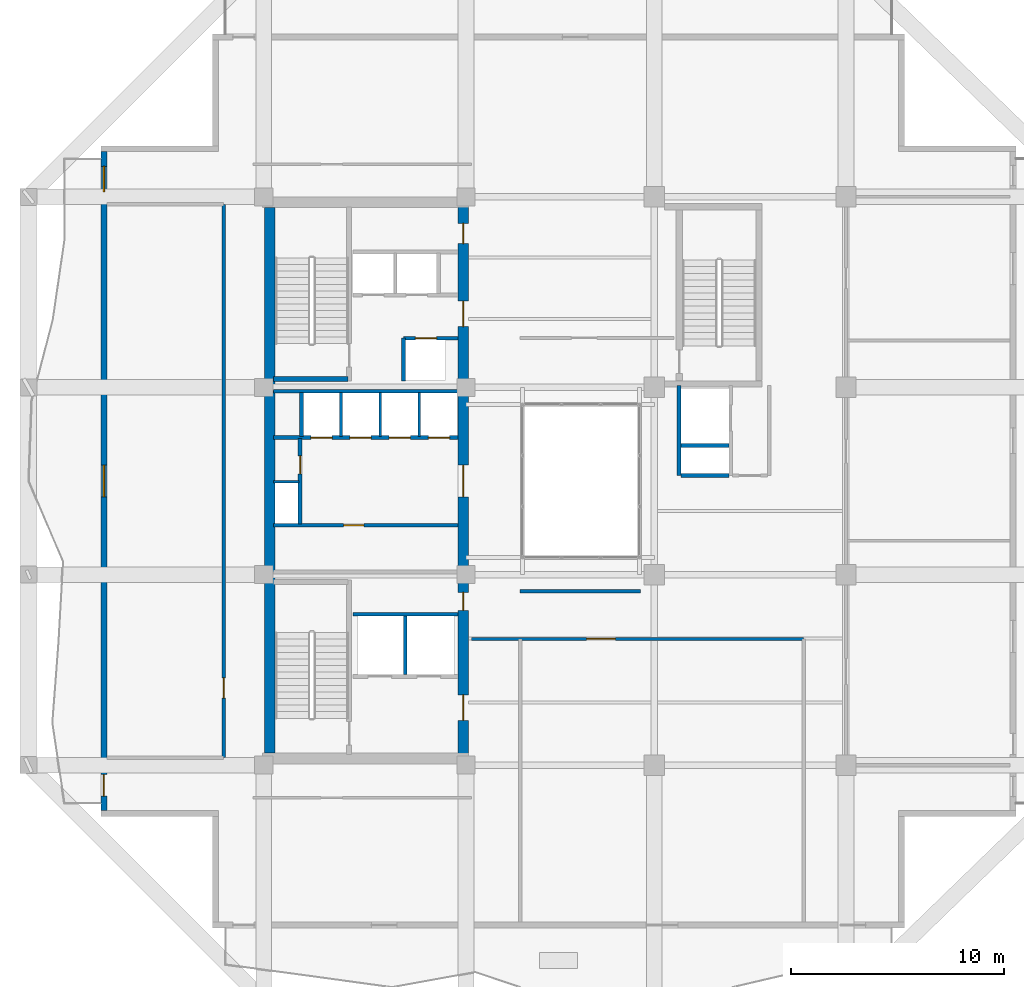
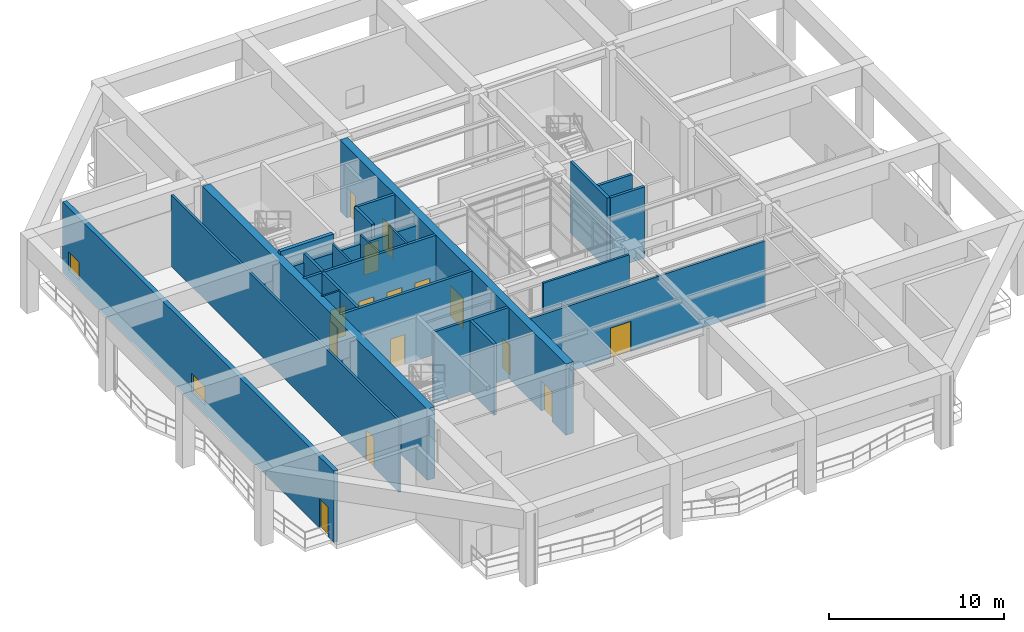
# One storey, part 6 of 13: 23 walls, 15 doors, 2 windows, 17 openings.
"""IFC4 building model written with IfcOpenShell, lengths in metres."""

from ifc_helpers import new_model, si_unit, direction, frame, frame_2d, origin, place, context, subcontext, project, spatial, rectangle, extrude, material, layer, layer_set, type_object, element, fill, save


model = new_model("IFC4")

# Units and contexts
model_context = context("Model", 3, precision=1e-05, world=origin(), true_north=direction((0.0, 1.0)))
body_context = subcontext(model_context, "Body", "Model", "MODEL_VIEW")
ifc_project = project(units=[si_unit("LENGTHUNIT", "METRE"), si_unit("AREAUNIT", "SQUARE_METRE"), si_unit("VOLUMEUNIT", "CUBIC_METRE"), si_unit("PLANEANGLEUNIT", "RADIAN"), si_unit("MASSUNIT", "GRAM", prefix="KILO")], contexts=[model_context])

# Site, building, storey
site_placement = place(None, origin())
site = spatial("IfcSite", under=ifc_project, at=site_placement, CompositionType="ELEMENT")
building_placement = place(site_placement, origin())
building = spatial("IfcBuilding", under=site, at=building_placement, Name="Kundavana Baori Tower", CompositionType="ELEMENT")
storey_placement = place(building_placement, frame((0.0, 0.0, 208.89990234375)))
storey = spatial("IfcBuildingStorey", under=building, at=storey_placement, Name="L51", CompositionType="ELEMENT", Elevation=208.89990234375)

# Walls
ifc_material_1 = material(Name="Concrete C50/60", Category="concrete")
ifc_layer_1 = layer(ifc_material_1, 0.39990234375, Name="WL-CORE-400")
ifc_layer_set_1 = layer_set([ifc_layer_1], Name="Concrete C50/60")
wall_type_1 = type_object("IfcWallType", Name="WL-CORE-400", PredefinedType="SHEAR", material=ifc_layer_set_1)
wall_1_placement = place(storey_placement, frame((15.89990234375, 33.389892578125, 0.0), z_axis=(0.0, 0.0, 1.0), x_axis=(1.0, 0.0, 0.0)))
element("IfcWall", 1, at=wall_1_placement, inside=storey, type_object=wall_type_1, Name="WL-L51-ST2-S", PredefinedType="SHEAR", context=body_context, shape_type="SweptSolid", body=[
    extrude(rectangle(XDim=3.52001953125, YDim=0.239990234375, at=frame_2d((1.760009765625, 0.0))), origin(), (0.0, 0.0, 1.0), 5.2001953125),
])
ifc_material_2 = material(Name="Concrete C50/60", Category="concrete")
ifc_layer_2 = layer(ifc_material_2, 0.5, Name="WL-CORE-500")
ifc_layer_set_2 = layer_set([ifc_layer_2], Name="Concrete C50/60")
wall_type_2 = type_object("IfcWallType", Name="WL-CORE-500", PredefinedType="SHEAR", material=ifc_layer_set_2)
wall_2_placement = place(storey_placement, frame((15.739990234375, 15.81005859375, 0.0), z_axis=(0.0, 0.0, 1.0), x_axis=(0.0, 1.0, 0.0)))
element("IfcWall", 2, at=wall_2_placement, inside=storey, type_object=wall_type_2, Name="L51 Offset Core West Shear Wall", PredefinedType="SHEAR", context=body_context, shape_type="SweptSolid", body=[
    extrude(rectangle(XDim=25.6298828125, YDim=0.5, at=frame_2d((12.81494140625, 0.0))), origin(), (0.0, 0.0, 1.0), 4.960205078125),
])

# Wall, openings, doors
wall_3_placement = place(storey_placement, frame((24.830078125, 15.739990234375, 0.0), z_axis=(0.0, 0.0, 1.0), x_axis=(0.0, 1.0, 0.0)))
wall_3 = element("IfcWall", 3, at=wall_3_placement, inside=storey, type_object=wall_type_2, Name="L51 Offset Core East Shear Wall", PredefinedType="SHEAR", context=body_context, shape_type="SweptSolid", body=[
    extrude(rectangle(XDim=25.760009765625, YDim=0.5, at=frame_2d((12.8798828125, 0.0))), origin(), (0.0, 0.0, 1.0), 4.960205078125),
])
opening_1_placement = place(wall_3_placement, frame((1.610107421875, 0.0, 0.0)))
opening_1 = element("IfcOpeningElement", 4, at=opening_1_placement, cuts=wall_3, Name="Opening FD-120", PredefinedType="OPENING", context=body_context, shape_type="SweptSolid", body=[
    extrude(rectangle(XDim=1.199951171875, YDim=2.10009765625, at=frame_2d((0.60009765625, 1.050048828125))), frame((0.0, 0.260009765625, 0.0), z_axis=(0.0, -1.0, 0.0), x_axis=(1.0, 0.0, 0.0)), (0.0, 0.0, 1.0), 0.52001953125),
])
opening_2_placement = place(wall_3_placement, frame((6.780029296875, 0.0, 0.0)))
opening_2 = element("IfcOpeningElement", 5, at=opening_2_placement, cuts=wall_3, Name="Opening FD-085", PredefinedType="OPENING", context=body_context, shape_type="SweptSolid", body=[
    extrude(rectangle(XDim=0.85009765625, YDim=2.06005859375, at=frame_2d((0.425048828125, 1.030029296875))), frame((0.0, 0.260009765625, 0.0), z_axis=(0.0, -1.0, 0.0), x_axis=(1.0, 0.0, 0.0)), (0.0, 0.0, 1.0), 0.52001953125),
])
opening_3_placement = place(wall_3_placement, frame((12.110107421875, 0.0, 0.0)))
opening_3 = element("IfcOpeningElement", 6, at=opening_3_placement, cuts=wall_3, Name="Opening FD-150", PredefinedType="OPENING", context=body_context, shape_type="SweptSolid", body=[
    extrude(rectangle(XDim=1.5, YDim=2.1201171875, at=frame_2d((0.75, 1.06005859375))), frame((0.0, 0.260009765625, 0.0), z_axis=(0.0, -1.0, 0.0), x_axis=(1.0, 0.0, 0.0)), (0.0, 0.0, 1.0), 0.52001953125),
])
opening_4_placement = place(wall_3_placement, frame((20.110107421875, 0.0, 0.0)))
opening_4 = element("IfcOpeningElement", 7, at=opening_4_placement, cuts=wall_3, Name="Opening FD-122", PredefinedType="OPENING", context=body_context, shape_type="SweptSolid", body=[
    extrude(rectangle(XDim=1.199951171875, YDim=2.1201171875, at=frame_2d((0.60009765625, 1.06005859375))), frame((0.0, 0.260009765625, 0.0), z_axis=(0.0, -1.0, 0.0), x_axis=(1.0, 0.0, 0.0)), (0.0, 0.0, 1.0), 0.52001953125),
])
opening_5_placement = place(wall_3_placement, frame((24.010009765625, 0.0, 0.0)))
opening_5 = element("IfcOpeningElement", 8, at=opening_5_placement, cuts=wall_3, Name="Opening FD-095", PredefinedType="OPENING", context=body_context, shape_type="SweptSolid", body=[
    extrude(rectangle(XDim=0.949951171875, YDim=2.10009765625, at=frame_2d((0.47509765625, 1.050048828125))), frame((0.0, 0.260009765625, 0.0), z_axis=(0.0, -1.0, 0.0), x_axis=(1.0, 0.0, 0.0)), (0.0, 0.0, 1.0), 0.52001953125),
])
ifc_material_3 = material(Name="Galvanised Steel Fire-Rated Door Leaf", Category="steel")
door_type_1 = type_object("IfcDoorType", Name="DR-FD120-1200", OperationType="NOTDEFINED", PredefinedType="DOOR", material=ifc_material_3)
door_1_placement = place(opening_1_placement, frame((1.199951171875, 0.0, 0.0), z_axis=(0.0, 0.0, 1.0), x_axis=(-1.0, 0.0, 0.0)))
door_1 = element("IfcDoor", 9, at=door_1_placement, inside=storey, type_object=door_type_1, Name="DR-L51-FFLOB-E", OperationType="SINGLE_SWING_RIGHT", OverallHeight=2.10009765625, OverallWidth=1.199951171875, PredefinedType="DOOR", context=body_context, shape_type="SweptSolid", body=[
    extrude(rectangle(XDim=1.199951171875, YDim=2.10009765625, at=frame_2d((0.60009765625, 1.050048828125))), frame((0.0, 0.02490234375, 0.0), z_axis=(0.0, -1.0, 0.0), x_axis=(1.0, 0.0, 0.0)), (0.0, 0.0, 1.0), 0.050048828125),
])
fill(opening_1, door_1)
ifc_material_4 = material(Name="Galvanised Steel Fire-Rated Door Leaf", Category="steel")
door_type_2 = type_object("IfcDoorType", Name="DR-FD60-1200", OperationType="NOTDEFINED", PredefinedType="DOOR", material=ifc_material_4)
door_2_placement = place(opening_4_placement, frame((1.199951171875, 0.0, 0.0), z_axis=(0.0, 0.0, 1.0), x_axis=(-1.0, 0.0, 0.0)))
door_2 = element("IfcDoor", 10, at=door_2_placement, inside=storey, type_object=door_type_2, Name="DR-L51-HRLOB-E", OperationType="SINGLE_SWING_RIGHT", OverallHeight=2.1201171875, OverallWidth=1.199951171875, PredefinedType="DOOR", context=body_context, shape_type="SweptSolid", body=[
    extrude(rectangle(XDim=1.199951171875, YDim=2.1201171875, at=frame_2d((0.60009765625, 1.06005859375))), frame((0.0, 0.02490234375, 0.0), z_axis=(0.0, -1.0, 0.0), x_axis=(1.0, 0.0, 0.0)), (0.0, 0.0, 1.0), 0.050048828125),
])
fill(opening_4, door_2)
ifc_material_5 = material(Name="Galvanised Steel Fire-Rated Door Leaf", Category="steel")
door_type_3 = type_object("IfcDoorType", Name="DR-FD60-1500", OperationType="NOTDEFINED", PredefinedType="DOOR", material=ifc_material_5)
door_3_placement = place(opening_3_placement, frame((1.5, 0.0, 0.0), z_axis=(0.0, 0.0, 1.0), x_axis=(-1.0, 0.0, 0.0)))
door_3 = element("IfcDoor", 11, at=door_3_placement, inside=storey, type_object=door_type_3, Name="DR-L51-LIFTHALL-E", OperationType="SINGLE_SWING_LEFT", OverallHeight=2.1201171875, OverallWidth=1.5, PredefinedType="DOOR", context=body_context, shape_type="SweptSolid", body=[
    extrude(rectangle(XDim=1.5, YDim=2.1201171875, at=frame_2d((0.75, 1.06005859375))), frame((0.0, 0.02490234375, 0.0), z_axis=(0.0, -1.0, 0.0), x_axis=(1.0, 0.0, 0.0)), (0.0, 0.0, 1.0), 0.050048828125),
])
fill(opening_3, door_3)
ifc_material_6 = material(Name="Galvanised Steel Fire-Rated Door Leaf", Category="steel")
door_type_4 = type_object("IfcDoorType", Name="DR-FD60-850", OperationType="NOTDEFINED", PredefinedType="DOOR", material=ifc_material_6)
door_4_placement = place(opening_2_placement, frame((0.85009765625, 0.0, 0.0), z_axis=(0.0, 0.0, 1.0), x_axis=(-1.0, 0.0, 0.0)))
door_4 = element("IfcDoor", 12, at=door_4_placement, inside=storey, type_object=door_type_4, Name="DR-L51-CSMK1", OperationType="SINGLE_SWING_LEFT", OverallHeight=2.06005859375, OverallWidth=0.85009765625, PredefinedType="DOOR", context=body_context, shape_type="SweptSolid", body=[
    extrude(rectangle(XDim=0.85009765625, YDim=2.06005859375, at=frame_2d((0.425048828125, 1.030029296875))), frame((0.0, 0.02490234375, 0.0), z_axis=(0.0, -1.0, 0.0), x_axis=(1.0, 0.0, 0.0)), (0.0, 0.0, 1.0), 0.050048828125),
])
fill(opening_2, door_4)
ifc_material_7 = material(Name="Engineered Teak Fire-Rated Timber Door Leaf", Category="wood")
door_type_5 = type_object("IfcDoorType", Name="DR-FD60-950", OperationType="NOTDEFINED", PredefinedType="DOOR", material=ifc_material_7)
door_5_placement = place(opening_5_placement, frame((0.949951171875, 0.0, 0.0), z_axis=(0.0, 0.0, 1.0), x_axis=(-1.0, 0.0, 0.0)))
door_5 = element("IfcDoor", 13, at=door_5_placement, inside=storey, type_object=door_type_5, Name="DR-L51-CSRV1", OperationType="SINGLE_SWING_LEFT", OverallHeight=2.10009765625, OverallWidth=0.949951171875, PredefinedType="DOOR", context=body_context, shape_type="SweptSolid", body=[
    extrude(rectangle(XDim=0.949951171875, YDim=2.10009765625, at=frame_2d((0.47509765625, 1.050048828125))), frame((0.0, 0.02490234375, 0.0), z_axis=(0.0, -1.0, 0.0), x_axis=(1.0, 0.0, 0.0)), (0.0, 0.0, 1.0), 0.050048828125),
])
fill(opening_5, door_5)

# Wall, openings, door, windows
ifc_material_8 = material(Name="Red-Buff Dholpur Sandstone Cladding on Concrete C40/50", Category="masonry")
ifc_layer_3 = layer(ifc_material_8, 0.280029296875, Name="WL-EXT-SAND-280")
ifc_layer_set_3 = layer_set([ifc_layer_3], Name="Red-Buff Dholpur Sandstone Cladding on Concrete C40/50")
wall_type_3 = type_object("IfcWallType", Name="WL-EXT-SAND-280", PredefinedType="STANDARD", material=ifc_layer_set_3)
wall_4_placement = place(storey_placement, frame((7.93994140625, 44.070068359375, 0.0), z_axis=(0.0, 0.0, 1.0), x_axis=(0.0, -1.0, 0.0)))
wall_4 = element("IfcWall", 14, at=wall_4_placement, inside=storey, type_object=wall_type_3, Name="L51 Exterior Insulated Facade Wall 10", PredefinedType="STANDARD", context=body_context, shape_type="SweptSolid", body=[
    extrude(rectangle(XDim=30.940185546875, YDim=0.280029296875, at=frame_2d((15.47021484375, 0.0))), origin(), (0.0, 0.0, 1.0), 4.960205078125),
])
opening_6_placement = place(wall_4_placement, frame((29.27001953125, 0.0, 0.0)))
opening_6 = element("IfcOpeningElement", 15, at=opening_6_placement, cuts=wall_4, Name="Opening BD-1", PredefinedType="OPENING", context=body_context, shape_type="SweptSolid", body=[
    extrude(rectangle(XDim=1.0, YDim=2.050048828125, at=frame_2d((0.5, 1.02490234375))), frame((0.0, 0.14990234375, 0.0), z_axis=(0.0, -1.0, 0.0), x_axis=(1.0, 0.0, 0.0)), (0.0, 0.0, 1.0), 0.300048828125),
])
opening_7_placement = place(wall_4_placement, frame((14.719970703125, 0.0, 0.64990234375)))
opening_7 = element("IfcOpeningElement", 16, at=opening_7_placement, cuts=wall_4, Name="Opening W-11", PredefinedType="OPENING", context=body_context, shape_type="SweptSolid", body=[
    extrude(rectangle(XDim=1.5, YDim=1.300048828125, at=frame_2d((0.75, 0.64990234375))), frame((0.0, 0.14990234375, 0.0), z_axis=(0.0, -1.0, 0.0), x_axis=(1.0, 0.0, 0.0)), (0.0, 0.0, 1.0), 0.300048828125),
])
opening_8_placement = place(wall_4_placement, frame((0.68994140625, 0.0, 0.64990234375)))
opening_8 = element("IfcOpeningElement", 17, at=opening_8_placement, cuts=wall_4, Name="Opening W-12", PredefinedType="OPENING", context=body_context, shape_type="SweptSolid", body=[
    extrude(rectangle(XDim=1.199951171875, YDim=1.25, at=frame_2d((0.60009765625, 0.625))), frame((0.0, 0.14990234375, 0.0), z_axis=(0.0, -1.0, 0.0), x_axis=(1.0, 0.0, 0.0)), (0.0, 0.0, 1.0), 0.300048828125),
])
ifc_material_9 = material(Name="Architectural Patinated Bronze Metalwork")
door_type_6 = type_object("IfcDoorType", Name="DR-EXT-LOG-1000", OperationType="NOTDEFINED", PredefinedType="DOOR", material=ifc_material_9)
door_6_placement = place(opening_6_placement, frame((1.0, 0.0, 0.0), z_axis=(0.0, 0.0, 1.0), x_axis=(-1.0, 0.0, 0.0)))
door_6 = element("IfcDoor", 18, at=door_6_placement, inside=storey, type_object=door_type_6, Name="L51 Loggia Balcony Access Door W", OperationType="SINGLE_SWING_RIGHT", OverallHeight=2.050048828125, OverallWidth=1.0, PredefinedType="DOOR", context=body_context, shape_type="SweptSolid", body=[
    extrude(rectangle(XDim=1.0, YDim=2.050048828125, at=frame_2d((0.5, 1.02490234375))), frame((0.0, 0.02490234375, 0.0), z_axis=(0.0, -1.0, 0.0), x_axis=(1.0, 0.0, 0.0)), (0.0, 0.0, 1.0), 0.050048828125),
])
fill(opening_6, door_6)
ifc_material_10 = material(Name="Double-Glazed Solar-Control Low-E Insulated Glass", Category="glass")
window_type_1 = type_object("IfcWindowType", Name="WIN-TRN-1200x1250", PartitioningType="SINGLE_PANEL", PredefinedType="WINDOW", material=ifc_material_10)
window_1_placement = place(opening_8_placement, origin())
window_1 = element("IfcWindow", 19, at=window_1_placement, inside=storey, type_object=window_type_1, Name="L51 Recessed Loggia Window W-3", OverallHeight=1.25, OverallWidth=1.199951171875, PartitioningType="SINGLE_PANEL", PredefinedType="WINDOW", context=body_context, shape_type="SweptSolid", body=[
    extrude(rectangle(XDim=1.199951171875, YDim=1.25, at=frame_2d((0.60009765625, 0.625))), frame((0.0, 0.030029296875, 0.0), z_axis=(0.0, -1.0, 0.0), x_axis=(1.0, 0.0, 0.0)), (0.0, 0.0, 1.0), 0.06005859375),
])
fill(opening_8, window_1)
ifc_material_11 = material(Name="Double-Glazed Solar-Control Low-E Insulated Glass", Category="glass")
window_type_2 = type_object("IfcWindowType", Name="WIN-TRN-1500x1300", PartitioningType="SINGLE_PANEL", PredefinedType="WINDOW", material=ifc_material_11)
window_2_placement = place(opening_7_placement, origin())
window_2 = element("IfcWindow", 20, at=window_2_placement, inside=storey, type_object=window_type_2, Name="L51 Recessed Loggia Window W-2", OverallHeight=1.300048828125, OverallWidth=1.5, PartitioningType="SINGLE_PANEL", PredefinedType="WINDOW", context=body_context, shape_type="SweptSolid", body=[
    extrude(rectangle(XDim=1.5, YDim=1.300048828125, at=frame_2d((0.75, 0.64990234375))), frame((0.0, 0.030029296875, 0.0), z_axis=(0.0, -1.0, 0.0), x_axis=(1.0, 0.0, 0.0)), (0.0, 0.0, 1.0), 0.06005859375),
])
fill(opening_7, window_2)

# Walls
ifc_material_12 = material(Name="Acoustic Gypsum Plasterboard on Galvanised Steel Studs", Category="steel")
ifc_layer_4 = layer(ifc_material_12, 0.1201171875, Name="WL-PART-120")
ifc_layer_set_4 = layer_set([ifc_layer_4], Name="Acoustic Gypsum Plasterboard on Galvanised Steel Studs")
wall_type_4 = type_object("IfcWallType", Name="WL-PART-120", PredefinedType="PARTITIONING", material=ifc_layer_set_4)
wall_5_placement = place(storey_placement, frame((15.89990234375, 28.56005859375, 0.0), z_axis=(0.0, 0.0, 1.0), x_axis=(1.0, 0.0, 0.0)))
element("IfcWall", 21, at=wall_5_placement, inside=storey, type_object=wall_type_4, Name="WL-L51-RSRW-N", PredefinedType="PARTITIONING", context=body_context, shape_type="SweptSolid", body=[
    extrude(rectangle(XDim=1.2001953125, YDim=0.1201171875, at=frame_2d((0.60009765625, 0.0))), origin(), (0.0, 0.0, 1.0), 4.960205078125),
])
for number, where, z_axis, x_axis, name in (
    (22, (19.080078125, 30.699951171875, 0.0), (0.0, 0.0, 1.0), (0.0, 1.0, 0.0), "WL-L51-LPMID-D1"),
    (23, (20.919921875, 30.699951171875, 0.0), (0.0, 0.0, 1.0), (0.0, 1.0, 0.0), "WL-L51-LPMID-D2"),
    (24, (22.760009765625, 30.699951171875, 0.0), (0.0, 0.0, 1.0), (0.0, 1.0, 0.0), "WL-L51-LPMID-D3"),
):
    element("IfcWall", number, at=place(storey_placement, frame(where, z_axis=z_axis, x_axis=x_axis)), inside=storey, type_object=wall_type_4, Name=name, PredefinedType="PARTITIONING", context=body_context, shape_type="SweptSolid", body=[
        extrude(rectangle(XDim=2.050048828125, YDim=0.1201171875, at=frame_2d((1.02490234375, 0.0))), origin(), (0.0, 0.0, 1.0), 4.960205078125),
    ])

# Wall, opening, door
ifc_material_13 = material(Name="Fire-Rated Gypsum Drywall on Galvanised Steel Studs", Category="steel")
ifc_layer_5 = layer(ifc_material_13, 0.14990234375, Name="WL-PART-150")
ifc_layer_set_5 = layer_set([ifc_layer_5], Name="Fire-Rated Gypsum Drywall on Galvanised Steel Studs")
wall_type_5 = type_object("IfcWallType", Name="WL-PART-150", PredefinedType="PARTITIONING", material=ifc_layer_set_5)
wall_6_placement = place(storey_placement, frame((13.570068359375, 15.60009765625, 0.0), z_axis=(0.0, 0.0, 1.0), x_axis=(0.0, 1.0, 0.0)))
wall_6 = element("IfcWall", 25, at=wall_6_placement, inside=storey, type_object=wall_type_5, Name="WL-L51-SLWE", PredefinedType="PARTITIONING", context=body_context, shape_type="SweptSolid", body=[
    extrude(rectangle(XDim=26.0, YDim=0.14990234375, at=frame_2d((13.0, 0.0))), origin(), (0.0, 0.0, 1.0), 4.960205078125),
])
opening_9_placement = place(wall_6_placement, frame((2.800048828125, 0.0, 0.0)))
opening_9 = element("IfcOpeningElement", 26, at=opening_9_placement, cuts=wall_6, Name="Opening ID-095", PredefinedType="OPENING", context=body_context, shape_type="SweptSolid", body=[
    extrude(rectangle(XDim=0.949951171875, YDim=2.080078125, at=frame_2d((0.47509765625, 1.0400390625))), frame((0.0, 0.0849609375, 0.0), z_axis=(0.0, -1.0, 0.0), x_axis=(1.0, 0.0, 0.0)), (0.0, 0.0, 1.0), 0.169921875),
])
ifc_material_14 = material(Name="Engineered Teak Solid-Core Timber Veneer", Category="wood")
door_type_7 = type_object("IfcDoorType", Name="DR-INT-950", OperationType="NOTDEFINED", PredefinedType="DOOR", material=ifc_material_14)
door_7_placement = place(opening_9_placement, origin())
door_7 = element("IfcDoor", 27, at=door_7_placement, inside=storey, type_object=door_type_7, Name="DR-L51-SLW", OperationType="SINGLE_SWING_LEFT", OverallHeight=2.080078125, OverallWidth=0.949951171875, PredefinedType="DOOR", context=body_context, shape_type="SweptSolid", body=[
    extrude(rectangle(XDim=0.949951171875, YDim=2.080078125, at=frame_2d((0.47509765625, 1.0400390625))), frame((0.0, 0.02490234375, 0.0), z_axis=(0.0, -1.0, 0.0), x_axis=(1.0, 0.0, 0.0)), (0.0, 0.0, 1.0), 0.050048828125),
])
fill(opening_9, door_7)

wall_7_placement = place(storey_placement, frame((25.219970703125, 21.179931640625, 0.0), z_axis=(0.0, 0.0, 1.0), x_axis=(1.0, 0.0, 0.0)))
wall_7 = element("IfcWall", 28, at=wall_7_placement, inside=storey, type_object=wall_type_5, Name="WL-L51-SLS", PredefinedType="PARTITIONING", context=body_context, shape_type="SweptSolid", body=[
    extrude(rectangle(XDim=15.60009765625, YDim=0.14990234375, at=frame_2d((7.800048828125, 0.0))), origin(), (0.0, 0.0, 1.0), 4.610107421875),
])
opening_10_placement = place(wall_7_placement, frame((5.39990234375, 0.0, 0.0)))
opening_10 = element("IfcOpeningElement", 29, at=opening_10_placement, cuts=wall_7, Name="Opening ID-135", PredefinedType="OPENING", context=body_context, shape_type="SweptSolid", body=[
    extrude(rectangle(XDim=1.35009765625, YDim=2.10009765625, at=frame_2d((0.675048828125, 1.050048828125))), frame((0.0, 0.0849609375, 0.0), z_axis=(0.0, -1.0, 0.0), x_axis=(1.0, 0.0, 0.0)), (0.0, 0.0, 1.0), 0.169921875),
])
ifc_material_15 = material(Name="Engineered Teak Solid-Core Timber Veneer", Category="wood")
door_type_8 = type_object("IfcDoorType", Name="DR-INT-1350", OperationType="NOTDEFINED", PredefinedType="DOOR", material=ifc_material_15)
door_8_placement = place(opening_10_placement, frame((1.35009765625, 0.0, 0.0), z_axis=(0.0, 0.0, 1.0), x_axis=(-1.0, 0.0, 0.0)))
door_8 = element("IfcDoor", 30, at=door_8_placement, inside=storey, type_object=door_type_8, Name="DR-L51-DIN", OperationType="SINGLE_SWING_LEFT", OverallHeight=2.10009765625, OverallWidth=1.35009765625, PredefinedType="DOOR", context=body_context, shape_type="SweptSolid", body=[
    extrude(rectangle(XDim=1.35009765625, YDim=2.10009765625, at=frame_2d((0.675048828125, 1.050048828125))), frame((0.0, 0.02490234375, 0.0), z_axis=(0.0, -1.0, 0.0), x_axis=(1.0, 0.0, 0.0)), (0.0, 0.0, 1.0), 0.050048828125),
])
fill(opening_10, door_8)

# Walls
wall_8_placement = place(storey_placement, frame((27.5, 23.419921875, 0.0), z_axis=(0.0, 0.0, 1.0), x_axis=(1.0, 0.0, 0.0)))
element("IfcWall", 31, at=wall_8_placement, inside=storey, type_object=wall_type_5, Name="WL-L51-SLST", PredefinedType="PARTITIONING", context=body_context, shape_type="SweptSolid", body=[
    extrude(rectangle(XDim=5.64990234375, YDim=0.14990234375, at=frame_2d((2.824951171875, 0.0))), origin(), (0.0, 0.0, 1.0), 4.960205078125),
])
ifc_material_16 = material(Name="Autoclaved Aerated Concrete Blockwork Masonry", Category="masonry")
ifc_layer_6 = layer(ifc_material_16, 0.179931640625, Name="WL-SHAFT-180")
ifc_layer_set_6 = layer_set([ifc_layer_6], Name="Autoclaved Aerated Concrete Blockwork Masonry")
wall_type_6 = type_object("IfcWallType", Name="WL-SHAFT-180", PredefinedType="SOLIDWALL", material=ifc_layer_set_6)
wall_9_placement = place(storey_placement, frame((22.10009765625, 19.510009765625, 0.0), z_axis=(0.0, 0.0, 1.0), x_axis=(0.0, 1.0, 0.0)))
element("IfcWall", 32, at=wall_9_placement, inside=storey, type_object=wall_type_6, Name="WL-L51-FFL-MID", PredefinedType="SOLIDWALL", context=body_context, shape_type="SweptSolid", body=[
    extrude(rectangle(XDim=2.739990234375, YDim=0.179931640625, at=frame_2d((1.3701171875, 0.0))), origin(), (0.0, 0.0, 1.0), 4.960205078125),
])
wall_10_placement = place(storey_placement, frame((19.639892578125, 22.340087890625, 0.0), z_axis=(0.0, 0.0, 1.0), x_axis=(1.0, 0.0, 0.0)))
element("IfcWall", 33, at=wall_10_placement, inside=storey, type_object=wall_type_6, Name="WL-L51-FFL-N", PredefinedType="SOLIDWALL", context=body_context, shape_type="SweptSolid", body=[
    extrude(rectangle(XDim=4.940185546875, YDim=0.179931640625, at=frame_2d((2.47021484375, 0.0))), origin(), (0.0, 0.0, 1.0), 4.960205078125),
])

# Wall, opening, door
wall_11_placement = place(storey_placement, frame((15.89990234375, 26.52001953125, 0.0), z_axis=(0.0, 0.0, 1.0), x_axis=(1.0, 0.0, 0.0)))
wall_11 = element("IfcWall", 34, at=wall_11_placement, inside=storey, type_object=wall_type_6, Name="WL-L51-LPLOW-N", PredefinedType="SOLIDWALL", context=body_context, shape_type="SweptSolid", body=[
    extrude(rectangle(XDim=8.68017578125, YDim=0.179931640625, at=frame_2d((4.340087890625, 0.0))), origin(), (0.0, 0.0, 1.0), 4.960205078125),
])
opening_11_placement = place(wall_11_placement, frame((3.300048828125, 0.0, 0.0)))
opening_11 = element("IfcOpeningElement", 35, at=opening_11_placement, cuts=wall_11, Name="Opening FD-095", PredefinedType="OPENING", context=body_context, shape_type="SweptSolid", body=[
    extrude(rectangle(XDim=0.949951171875, YDim=2.10009765625, at=frame_2d((0.47509765625, 1.050048828125))), frame((0.0, 0.10009765625, 0.0), z_axis=(0.0, -1.0, 0.0), x_axis=(1.0, 0.0, 0.0)), (0.0, 0.0, 1.0), 0.199951171875),
])
door_9_placement = place(opening_11_placement, origin())
door_9 = element("IfcDoor", 36, at=door_9_placement, inside=storey, type_object=door_type_5, Name="DR-L51-FRLOW1", OperationType="SINGLE_SWING_LEFT", OverallHeight=2.10009765625, OverallWidth=0.949951171875, PredefinedType="DOOR", context=body_context, shape_type="SweptSolid", body=[
    extrude(rectangle(XDim=0.949951171875, YDim=2.10009765625, at=frame_2d((0.47509765625, 1.050048828125))), frame((0.0, 0.02490234375, 0.0), z_axis=(0.0, -1.0, 0.0), x_axis=(1.0, 0.0, 0.0)), (0.0, 0.0, 1.0), 0.050048828125),
])
fill(opening_11, door_9)

wall_12_placement = place(storey_placement, frame((17.159912109375, 26.580078125, 0.0), z_axis=(0.0, 0.0, 1.0), x_axis=(0.0, 1.0, 0.0)))
wall_12 = element("IfcWall", 37, at=wall_12_placement, inside=storey, type_object=wall_type_6, Name="WL-L51-RSRW-E", PredefinedType="SOLIDWALL", context=body_context, shape_type="SweptSolid", body=[
    extrude(rectangle(XDim=4.02001953125, YDim=0.179931640625, at=frame_2d((2.010009765625, 0.0))), origin(), (0.0, 0.0, 1.0), 4.960205078125),
])
opening_12_placement = place(wall_12_placement, frame((2.35009765625, 0.0, 0.0)))
opening_12 = element("IfcOpeningElement", 38, at=opening_12_placement, cuts=wall_12, Name="Opening FD-085", PredefinedType="OPENING", context=body_context, shape_type="SweptSolid", body=[
    extrude(rectangle(XDim=0.85009765625, YDim=2.06005859375, at=frame_2d((0.425048828125, 1.030029296875))), frame((0.0, 0.10009765625, 0.0), z_axis=(0.0, -1.0, 0.0), x_axis=(1.0, 0.0, 0.0)), (0.0, 0.0, 1.0), 0.199951171875),
])
door_10_placement = place(opening_12_placement, origin())
door_10 = element("IfcDoor", 39, at=door_10_placement, inside=storey, type_object=door_type_4, Name="DR-L51-CLN", OperationType="SINGLE_SWING_RIGHT", OverallHeight=2.06005859375, OverallWidth=0.85009765625, PredefinedType="DOOR", context=body_context, shape_type="SweptSolid", body=[
    extrude(rectangle(XDim=0.85009765625, YDim=2.06005859375, at=frame_2d((0.425048828125, 1.030029296875))), frame((0.0, 0.02490234375, 0.0), z_axis=(0.0, -1.0, 0.0), x_axis=(1.0, 0.0, 0.0)), (0.0, 0.0, 1.0), 0.050048828125),
])
fill(opening_12, door_10)

# Wall, openings, doors
wall_13_placement = place(storey_placement, frame((15.89990234375, 30.639892578125, 0.0), z_axis=(0.0, 0.0, 1.0), x_axis=(1.0, 0.0, 0.0)))
wall_13 = element("IfcWall", 40, at=wall_13_placement, inside=storey, type_object=wall_type_6, Name="WL-L51-LPMID-S", PredefinedType="SOLIDWALL", context=body_context, shape_type="SweptSolid", body=[
    extrude(rectangle(XDim=8.68017578125, YDim=0.179931640625, at=frame_2d((4.340087890625, 0.0))), origin(), (0.0, 0.0, 1.0), 4.960205078125),
])
opening_13_placement = place(wall_13_placement, frame((1.760009765625, 0.0, 0.0)))
opening_13 = element("IfcOpeningElement", 41, at=opening_13_placement, cuts=wall_13, Name="Opening LD-100", PredefinedType="OPENING", context=body_context, shape_type="SweptSolid", body=[
    extrude(rectangle(XDim=1.0, YDim=2.10009765625, at=frame_2d((0.5, 1.050048828125))), frame((0.0, 0.10009765625, 0.0), z_axis=(0.0, -1.0, 0.0), x_axis=(1.0, 0.0, 0.0)), (0.0, 0.0, 1.0), 0.199951171875),
])
opening_14_placement = place(wall_13_placement, frame((3.60009765625, 0.0, 0.0)))
opening_14 = element("IfcOpeningElement", 42, at=opening_14_placement, cuts=wall_13, Name="Opening LD-100", PredefinedType="OPENING", context=body_context, shape_type="SweptSolid", body=[
    extrude(rectangle(XDim=1.0, YDim=2.10009765625, at=frame_2d((0.5, 1.050048828125))), frame((0.0, 0.10009765625, 0.0), z_axis=(0.0, -1.0, 0.0), x_axis=(1.0, 0.0, 0.0)), (0.0, 0.0, 1.0), 0.199951171875),
])
opening_15_placement = place(wall_13_placement, frame((5.43994140625, 0.0, 0.0)))
opening_15 = element("IfcOpeningElement", 43, at=opening_15_placement, cuts=wall_13, Name="Opening LD-100", PredefinedType="OPENING", context=body_context, shape_type="SweptSolid", body=[
    extrude(rectangle(XDim=1.0, YDim=2.10009765625, at=frame_2d((0.5, 1.050048828125))), frame((0.0, 0.10009765625, 0.0), z_axis=(0.0, -1.0, 0.0), x_axis=(1.0, 0.0, 0.0)), (0.0, 0.0, 1.0), 0.199951171875),
])
opening_16_placement = place(wall_13_placement, frame((7.280029296875, 0.0, 0.0)))
opening_16 = element("IfcOpeningElement", 44, at=opening_16_placement, cuts=wall_13, Name="Opening LD-100", PredefinedType="OPENING", context=body_context, shape_type="SweptSolid", body=[
    extrude(rectangle(XDim=1.0, YDim=2.10009765625, at=frame_2d((0.5, 1.050048828125))), frame((0.0, 0.10009765625, 0.0), z_axis=(0.0, -1.0, 0.0), x_axis=(1.0, 0.0, 0.0)), (0.0, 0.0, 1.0), 0.199951171875),
])
ifc_material_17 = material(Name="Galvanised Steel Fire-Rated Door Leaf", Category="steel")
door_type_9 = type_object("IfcDoorType", Name="DR-SLIDE-LD1000", OperationType="NOTDEFINED", PredefinedType="DOOR", material=ifc_material_17)
door_11_placement = place(opening_13_placement, frame((1.0, 0.0, 0.0), z_axis=(0.0, 0.0, 1.0), x_axis=(-1.0, 0.0, 0.0)))
door_11 = element("IfcDoor", 45, at=door_11_placement, inside=storey, type_object=door_type_9, Name="DR-L51-LD-LP-05", OperationType="DOUBLE_DOOR_SLIDING", OverallHeight=2.10009765625, OverallWidth=1.0, PredefinedType="DOOR", context=body_context, shape_type="SweptSolid", body=[
    extrude(rectangle(XDim=1.0, YDim=2.10009765625, at=frame_2d((0.5, 1.050048828125))), frame((0.0, 0.02490234375, 0.0), z_axis=(0.0, -1.0, 0.0), x_axis=(1.0, 0.0, 0.0)), (0.0, 0.0, 1.0), 0.050048828125),
])
fill(opening_13, door_11)
door_12_placement = place(opening_14_placement, frame((1.0, 0.0, 0.0), z_axis=(0.0, 0.0, 1.0), x_axis=(-1.0, 0.0, 0.0)))
door_12 = element("IfcDoor", 46, at=door_12_placement, inside=storey, type_object=door_type_9, Name="DR-L51-LD-LP-06", OperationType="DOUBLE_DOOR_SLIDING", OverallHeight=2.10009765625, OverallWidth=1.0, PredefinedType="DOOR", context=body_context, shape_type="SweptSolid", body=[
    extrude(rectangle(XDim=1.0, YDim=2.10009765625, at=frame_2d((0.5, 1.050048828125))), frame((0.0, 0.02490234375, 0.0), z_axis=(0.0, -1.0, 0.0), x_axis=(1.0, 0.0, 0.0)), (0.0, 0.0, 1.0), 0.050048828125),
])
fill(opening_14, door_12)
door_13_placement = place(opening_15_placement, frame((1.0, 0.0, 0.0), z_axis=(0.0, 0.0, 1.0), x_axis=(-1.0, 0.0, 0.0)))
door_13 = element("IfcDoor", 47, at=door_13_placement, inside=storey, type_object=door_type_9, Name="DR-L51-LD-LP-07", OperationType="DOUBLE_DOOR_SLIDING", OverallHeight=2.10009765625, OverallWidth=1.0, PredefinedType="DOOR", context=body_context, shape_type="SweptSolid", body=[
    extrude(rectangle(XDim=1.0, YDim=2.10009765625, at=frame_2d((0.5, 1.050048828125))), frame((0.0, 0.02490234375, 0.0), z_axis=(0.0, -1.0, 0.0), x_axis=(1.0, 0.0, 0.0)), (0.0, 0.0, 1.0), 0.050048828125),
])
fill(opening_15, door_13)
door_14_placement = place(opening_16_placement, frame((1.0, 0.0, 0.0), z_axis=(0.0, 0.0, 1.0), x_axis=(-1.0, 0.0, 0.0)))
door_14 = element("IfcDoor", 48, at=door_14_placement, inside=storey, type_object=door_type_9, Name="DR-L51-LD-LP-08", OperationType="DOUBLE_DOOR_SLIDING", OverallHeight=2.10009765625, OverallWidth=1.0, PredefinedType="DOOR", context=body_context, shape_type="SweptSolid", body=[
    extrude(rectangle(XDim=1.0, YDim=2.10009765625, at=frame_2d((0.5, 1.050048828125))), frame((0.0, 0.02490234375, 0.0), z_axis=(0.0, -1.0, 0.0), x_axis=(1.0, 0.0, 0.0)), (0.0, 0.0, 1.0), 0.050048828125),
])
fill(opening_16, door_14)

# Walls
wall_14_placement = place(storey_placement, frame((15.89990234375, 32.820068359375, 0.0), z_axis=(0.0, 0.0, 1.0), x_axis=(1.0, 0.0, 0.0)))
element("IfcWall", 49, at=wall_14_placement, inside=storey, type_object=wall_type_6, Name="WL-L51-LPMID-N", PredefinedType="SOLIDWALL", context=body_context, shape_type="SweptSolid", body=[
    extrude(rectangle(XDim=8.68017578125, YDim=0.179931640625, at=frame_2d((4.340087890625, 0.0))), origin(), (0.0, 0.0, 1.0), 4.31005859375),
])
wall_15_placement = place(storey_placement, frame((17.219970703125, 30.699951171875, 0.0), z_axis=(0.0, 0.0, 1.0), x_axis=(0.0, 1.0, 0.0)))
element("IfcWall", 50, at=wall_15_placement, inside=storey, type_object=wall_type_6, Name="WL-L51-LPMID-W", PredefinedType="SOLIDWALL", context=body_context, shape_type="SweptSolid", body=[
    extrude(rectangle(XDim=2.050048828125, YDim=0.179931640625, at=frame_2d((1.02490234375, 0.0))), origin(), (0.0, 0.0, 1.0), 4.960205078125),
])

# Wall, opening, door
wall_16_placement = place(storey_placement, frame((22.02001953125, 35.31005859375, 0.0), z_axis=(0.0, 0.0, 1.0), x_axis=(1.0, 0.0, 0.0)))
wall_16 = element("IfcWall", 51, at=wall_16_placement, inside=storey, type_object=wall_type_6, Name="WL-L51-LP11-N", PredefinedType="SOLIDWALL", context=body_context, shape_type="SweptSolid", body=[
    extrude(rectangle(XDim=2.56005859375, YDim=0.179931640625, at=frame_2d((1.280029296875, 0.0))), origin(), (0.0, 0.0, 1.0), 4.960205078125),
])
opening_17_placement = place(wall_16_placement, frame((0.550048828125, 0.0, 0.0)))
opening_17 = element("IfcOpeningElement", 52, at=opening_17_placement, cuts=wall_16, Name="Opening LD-100", PredefinedType="OPENING", context=body_context, shape_type="SweptSolid", body=[
    extrude(rectangle(XDim=1.0, YDim=2.10009765625, at=frame_2d((0.5, 1.050048828125))), frame((0.0, 0.10009765625, 0.0), z_axis=(0.0, -1.0, 0.0), x_axis=(1.0, 0.0, 0.0)), (0.0, 0.0, 1.0), 0.199951171875),
])
door_15_placement = place(opening_17_placement, origin())
door_15 = element("IfcDoor", 53, at=door_15_placement, inside=storey, type_object=door_type_9, Name="DR-L51-LD-LP11", OperationType="DOUBLE_DOOR_SLIDING", OverallHeight=2.10009765625, OverallWidth=1.0, PredefinedType="DOOR", context=body_context, shape_type="SweptSolid", body=[
    extrude(rectangle(XDim=1.0, YDim=2.10009765625, at=frame_2d((0.5, 1.050048828125))), frame((0.0, 0.02490234375, 0.0), z_axis=(0.0, -1.0, 0.0), x_axis=(1.0, 0.0, 0.0)), (0.0, 0.0, 1.0), 0.050048828125),
])
fill(opening_17, door_15)

# Walls
wall_17_placement = place(storey_placement, frame((22.02001953125, 33.300048828125, 0.0), z_axis=(0.0, 0.0, 1.0), x_axis=(0.0, 1.0, 0.0)))
element("IfcWall", 54, at=wall_17_placement, inside=storey, type_object=wall_type_6, Name="WL-L51-LP11-W", PredefinedType="SOLIDWALL", context=body_context, shape_type="SweptSolid", body=[
    extrude(rectangle(XDim=2.010009765625, YDim=0.179931640625, at=frame_2d((1.0048828125, 0.0))), origin(), (0.0, 0.0, 1.0), 4.960205078125),
])
wall_18_placement = place(storey_placement, frame((34.9599609375, 28.860107421875, 0.0), z_axis=(0.0, 0.0, 1.0), x_axis=(0.0, 1.0, 0.0)))
element("IfcWall", 55, at=wall_18_placement, inside=storey, type_object=wall_type_6, Name="WL-L51-SVL-W", PredefinedType="SOLIDWALL", context=body_context, shape_type="SweptSolid", body=[
    extrude(rectangle(XDim=4.219970703125, YDim=0.179931640625, at=frame_2d((2.10986328125, 0.0))), origin(), (0.0, 0.0, 1.0), 4.960205078125),
])
for number, where, z_axis, x_axis, name in (
    (56, (35.050048828125, 28.860107421875, 0.0), (0.0, 0.0, 1.0), (1.0, 0.0, 0.0), "WL-L51-SVL-S"),
    (57, (35.050048828125, 30.27001953125, 0.0), (0.0, 0.0, 1.0), (1.0, 0.0, 0.0), "WL-L51-SVL-M"),
):
    element("IfcWall", number, at=place(storey_placement, frame(where, z_axis=z_axis, x_axis=x_axis)), inside=storey, type_object=wall_type_6, Name=name, PredefinedType="SOLIDWALL", context=body_context, shape_type="SweptSolid", body=[
        extrude(rectangle(XDim=2.25, YDim=0.179931640625, at=frame_2d((1.125, 0.0))), origin(), (0.0, 0.0, 1.0), 4.960205078125),
    ])

save(model, "model.ifc")
